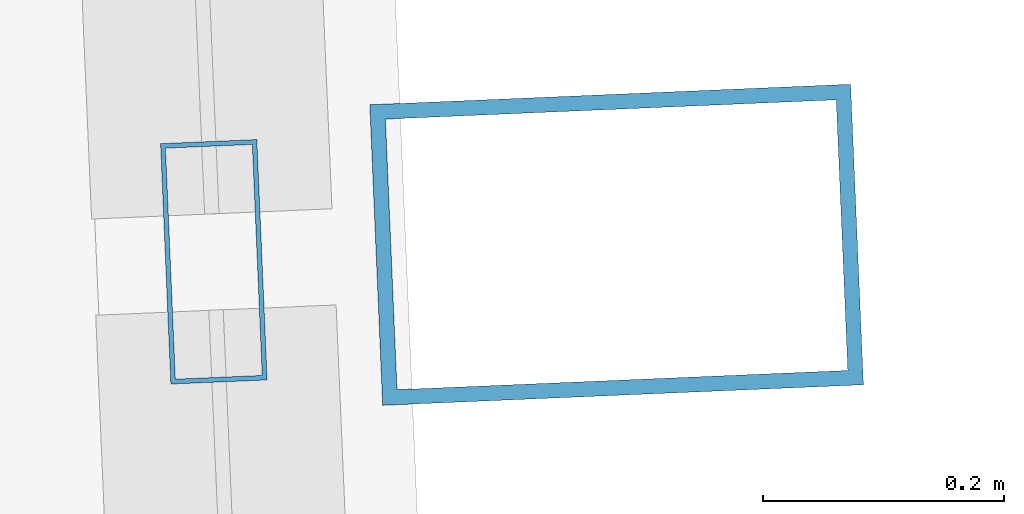
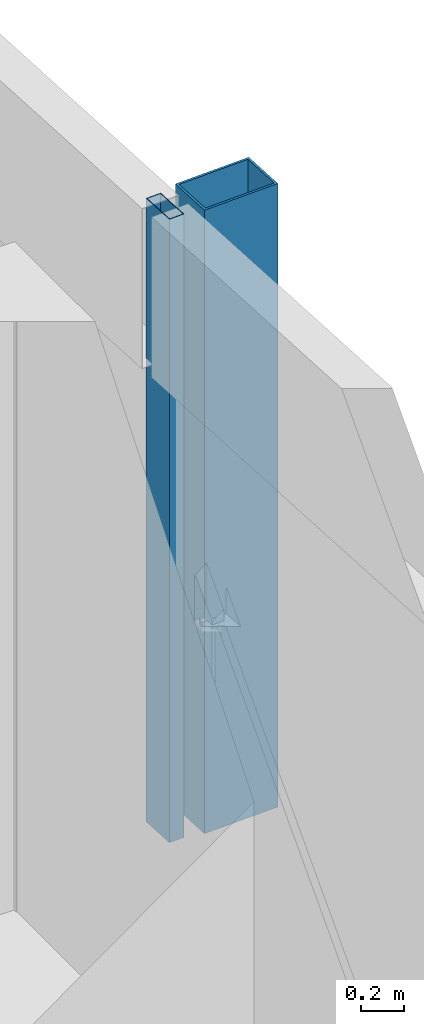
# One storey, part 29 of 44: 2 members, 1 element without a shape of its own.
"""IFC4 building model written with IfcOpenShell, lengths in metres."""

from ifc_helpers import new_model, si_unit, direction, frame, origin, origin_2d, place, context, subcontext, project, spatial, hollow_rectangle, extrude, material, material_profile, profile_set, type_object, element, aggregate, save


model = new_model("IFC4")

# Units and contexts
model_context = context("Model", 3, precision=1e-05, world=origin(), true_north=direction((0.0, 1.0)))
body_context = subcontext(model_context, "Body", "Model", "MODEL_VIEW")
ifc_project = project(units=[si_unit("LENGTHUNIT", "METRE"), si_unit("AREAUNIT", "SQUARE_METRE"), si_unit("VOLUMEUNIT", "CUBIC_METRE"), si_unit("PLANEANGLEUNIT", "RADIAN"), si_unit("MASSUNIT", "GRAM", prefix="KILO")], contexts=[model_context])

# Site, building, storey
site_placement = place(None, origin())
site = spatial("IfcSite", under=ifc_project, at=site_placement, CompositionType="ELEMENT")
building_placement = place(site_placement, origin())
building = spatial("IfcBuilding", under=site, at=building_placement, Name="Rekha Terrace Tower", CompositionType="ELEMENT")
storey_placement = place(building_placement, frame((0.0, 0.0, 66.64990234375)))
storey = spatial("IfcBuildingStorey", under=building, at=storey_placement, Name="L16", CompositionType="ELEMENT", Elevation=66.64990234375)

# Curtain wall, members
ifc_material_1 = material(Name="Aluminium framing", Category="aluminium")
curtain_wall_type = type_object("IfcCurtainWallType", Name="CW2 double skin outer glazing", PredefinedType="USERDEFINED", material=ifc_material_1)
curtain_wall_placement = place(storey_placement, origin())
curtain_wall = element("IfcCurtainWall", 1, at=curtain_wall_placement, inside=storey, type_object=curtain_wall_type, Name="CW2 double skin outer glazing", ObjectType="DOUBLE SKIN OUTER GLAZING", PredefinedType="USERDEFINED")
ifc_material_2 = material(Name="Steel S355 with fluorocarbon finish", Category="steel")
ifc_material_profile_1 = material_profile(ifc_material_2, hollow_rectangle(XDim=0.25, YDim=0.39990234375, WallThickness=0.012451171875, at=origin_2d()), Name="RHS400x250x12.5")
ifc_profile_set_1 = profile_set([ifc_material_profile_1], Name="Steel S355 with fluorocarbon finish")
member_type_1 = type_object("IfcMemberType", Name="BL1 facade blade RHS 400 x 250", PredefinedType="USERDEFINED", material=ifc_profile_set_1)
member_1_placement = place(storey_placement, frame((69.554443359375, 51.724609375, 0.0), z_axis=(0.0, 0.0, 1.0), x_axis=(-0.04269522475, 0.99908814315, 0.0)))
member_1 = element("IfcMember", 2, at=member_1_placement, type_object=member_type_1, Name="Facade blade", ObjectType="FACADE BLADE", PredefinedType="USERDEFINED", context=body_context, shape_type="SweptSolid", body=[
    extrude(hollow_rectangle(XDim=0.25, YDim=0.39990234375, WallThickness=0.012451171875, at=origin_2d()), origin(), (0.0, 0.0, 1.0), 3.5),
])
ifc_material_3 = material(Name="Aluminium mullion section", Category="aluminium")
ifc_material_profile_2 = material_profile(ifc_material_3, hollow_rectangle(XDim=0.080078125, YDim=0.199951171875, WallThickness=0.00390625, at=origin_2d()), Name="AL RHS 80x200")
ifc_profile_set_2 = profile_set([ifc_material_profile_2], Name="Aluminium mullion section")
member_type_2 = type_object("IfcMemberType", Name="CW2 mullion RHS 80 x 200", PredefinedType="MULLION", material=ifc_profile_set_2)
member_2_placement = place(storey_placement, frame((69.2197265625, 51.71044921875, 0.0), z_axis=(0.0, 0.0, 1.0), x_axis=(-0.999088106903, -0.042696072956, 0.0)))
member_2 = element("IfcMember", 3, at=member_2_placement, type_object=member_type_2, Name="CW2 mullion 4", PredefinedType="MULLION", context=body_context, shape_type="SweptSolid", body=[
    extrude(hollow_rectangle(XDim=0.080078125, YDim=0.199951171875, WallThickness=0.00390625, at=origin_2d()), origin(), (0.0, 0.0, 1.0), 3.5),
])
aggregate(curtain_wall, [member_2, member_1])

save(model, "model.ifc")
